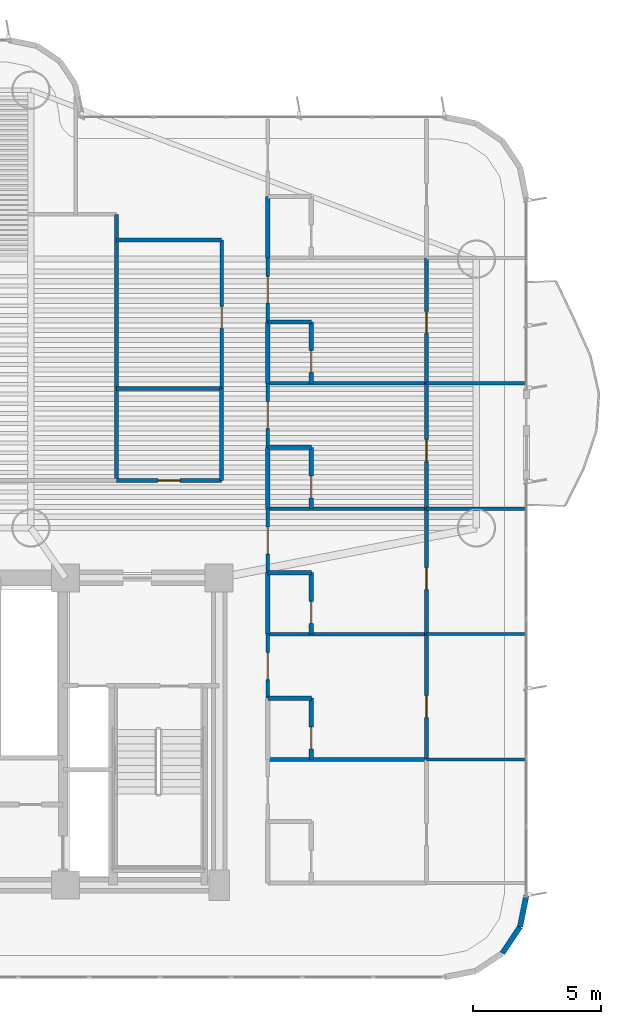
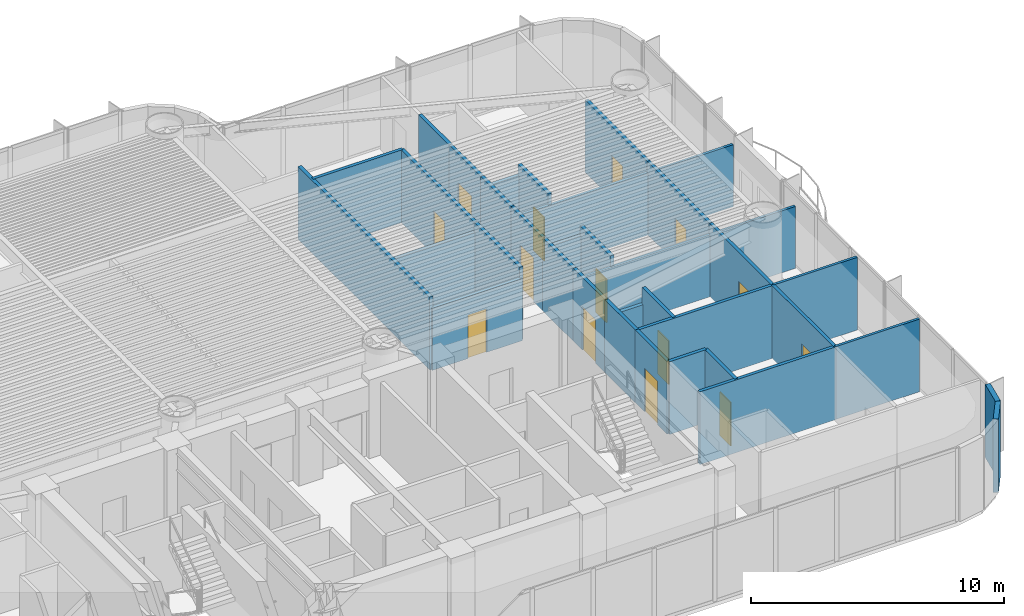
# One storey, part 13 of 19: 36 walls, 14 doors, 14 openings.
"""IFC4 building model written with IfcOpenShell, lengths in metres."""

from ifc_helpers import new_model, si_unit, direction, frame, frame_2d, origin, origin_2d, place, context, subcontext, project, spatial, rectangle, extrude, source, transform, mapped, material, layer, layer_set, type_object, element, fill, save


model = new_model("IFC4")

# Units and contexts
model_context = context("Model", 3, precision=1e-05, world=origin(), true_north=direction((0.0, 1.0)))
body_context = subcontext(model_context, "Body", "Model", "MODEL_VIEW")
ifc_project = project(units=[si_unit("LENGTHUNIT", "METRE"), si_unit("AREAUNIT", "SQUARE_METRE"), si_unit("VOLUMEUNIT", "CUBIC_METRE"), si_unit("PLANEANGLEUNIT", "RADIAN"), si_unit("MASSUNIT", "GRAM", prefix="KILO")], contexts=[model_context])

# Site, building, storey
site_placement = place(None, origin())
site = spatial("IfcSite", under=ifc_project, at=site_placement, CompositionType="ELEMENT")
building_placement = place(site_placement, origin())
building = spatial("IfcBuilding", under=site, at=building_placement, Name="Brelvock Crest Care Tower", CompositionType="ELEMENT")
storey_placement = place(building_placement, frame((0.0, 0.0, 68.580078125)))
storey = spatial("IfcBuildingStorey", under=building, at=storey_placement, Name="L17", CompositionType="ELEMENT", Elevation=68.580078125)

# Walls
ifc_material_1 = material(Name="Precast concrete N40 (40 MPa)", Category="concrete")
ifc_layer_1 = layer(ifc_material_1, 0.215087890625, Name="WL-EX2")
ifc_layer_set_1 = layer_set([ifc_layer_1], Name="Precast concrete N40 (40 MPa)")
wall_type_1 = type_object("IfcWallType", Name="WL-EX2", PredefinedType="SOLIDWALL", material=ifc_layer_set_1)
for number, where, z_axis, x_axis, name in (
    (1, (60.0, 5.60009765625, 0.0), (0.0, 0.0, 1.0), (-0.195138390419, -0.980775717779, 0.0), "L17 Rounded Corner Wall 04"),
    (2, (59.75634765625, 4.37548828125, 0.0), (0.0, 0.0, 1.0), (-0.555557312883, -0.831478245117, 0.0), "L17 Rounded Corner Wall 05"),
):
    element("IfcWall", number, at=place(storey_placement, frame(where, z_axis=z_axis, x_axis=x_axis)), inside=storey, type_object=wall_type_1, Name=name, PredefinedType="SOLIDWALL", context=body_context, shape_type="SweptSolid", body=[
        extrude(rectangle(XDim=1.24853515625, YDim=0.215087890625, at=frame_2d((0.624267578125, 0.0))), origin(), (0.0, 0.0, 1.0), 3.530029296875),
    ])
ifc_material_2 = material(Name="Masonry Blockwork Acoustic Partition", Category="masonry")
ifc_layer_2 = layer(ifc_material_2, 0.14990234375, Name="WL-INT1")
ifc_layer_set_2 = layer_set([ifc_layer_2], Name="Masonry Blockwork Acoustic Partition")
wall_type_2 = type_object("IfcWallType", Name="WL-INT1", PredefinedType="PARTITIONING", material=ifc_layer_set_2)
for number, where, z_axis, x_axis, name in (
    (3, (49.89990234375, 10.89990234375, 0.0), (0.0, 0.0, 1.0), (1.0, 0.0, 0.0), "L17 Interior Wall WL-BX-L17-CS-EC1-N"),
    (4, (49.89990234375, 15.800048828125, 0.0), (0.0, 0.0, 1.0), (1.0, 0.0, 0.0), "L17 Interior Wall WL-BX-L17-CS-EC2-N"),
):
    element("IfcWall", number, at=place(storey_placement, frame(where, z_axis=z_axis, x_axis=x_axis)), inside=storey, type_object=wall_type_2, Name=name, PredefinedType="PARTITIONING", context=body_context, shape_type="SweptSolid", body=[
        extrude(rectangle(XDim=6.2001953125, YDim=0.14990234375, at=frame_2d((3.10009765625, 0.0))), origin(), (0.0, 0.0, 1.0), 3.5),
    ])
for number, where, z_axis, x_axis, name in (
    (5, (49.89990234375, 20.699951171875, 0.0), (0.0, 0.0, 1.0), (1.0, 0.0, 0.0), "L17 Interior Wall WL-BX-L17-CS-EC3-N"),
    (6, (49.89990234375, 25.60009765625, 0.0), (0.0, 0.0, 1.0), (1.0, 0.0, 0.0), "L17 Interior Wall WL-BX-L17-CS-EC4-N"),
):
    element("IfcWall", number, at=place(storey_placement, frame(where, z_axis=z_axis, x_axis=x_axis)), inside=storey, type_object=wall_type_2, Name=name, PredefinedType="PARTITIONING", context=body_context, shape_type="SweptSolid", body=[
        extrude(rectangle(XDim=6.2001953125, YDim=0.14990234375, at=frame_2d((3.10009765625, 0.0))), origin(), (0.0, 0.0, 1.0), 2.98193359375),
    ])
wall_1_placement = place(storey_placement, frame((44.0, 31.199951171875, 0.0), z_axis=(0.0, 0.0, 1.0), x_axis=(1.0, 0.0, 0.0)))
element("IfcWall", 7, at=wall_1_placement, inside=storey, type_object=wall_type_2, Name="L17 Interior Wall WL-BX-L17-CKIT-N", PredefinedType="PARTITIONING", context=body_context, shape_type="SweptSolid", body=[
    extrude(rectangle(XDim=4.10009765625, YDim=0.14990234375, at=frame_2d((2.050048828125, 0.0))), origin(), (0.0, 0.0, 1.0), 3.5),
])

# Wall, opening, door
wall_2_placement = place(storey_placement, frame((48.10009765625, 25.39990234375, 0.0), z_axis=(0.0, 0.0, 1.0), x_axis=(0.0, 1.0, 0.0)))
wall_2 = element("IfcWall", 8, at=wall_2_placement, inside=storey, type_object=wall_type_2, Name="L17 Interior Wall WL-RM-L17-CKIT", PredefinedType="PARTITIONING", context=body_context, shape_type="SweptSolid", body=[
    extrude(rectangle(XDim=5.800048828125, YDim=0.14990234375, at=frame_2d((2.89990234375, 0.0))), origin(), (0.0, 0.0, 1.0), 3.5),
])
opening_1_placement = place(wall_2_placement, frame((2.340087890625, 0.0, 0.0)))
opening_1 = element("IfcOpeningElement", 9, at=opening_1_placement, cuts=wall_2, Name="Opening ID-1", PredefinedType="OPENING", context=body_context, shape_type="SweptSolid", body=[
    extrude(rectangle(XDim=0.860107421875, YDim=2.10009765625, at=origin_2d()), frame((0.43017578125, 0.0849609375, 1.050048828125), z_axis=(0.0, -1.0, 0.0), x_axis=(1.0, 0.0, 0.0)), (0.0, 0.0, 1.0), 0.169921875),
])
ifc_material_3 = material(Name="Engineered Hardwood Timber", Category="wood")
door_type_1 = type_object("IfcDoorType", Name="DR-INT1", OperationType="NOTDEFINED", PredefinedType="DOOR", material=ifc_material_3)
shared_shape_1 = source(origin(), body_context, "Body", "SweptSolid", [
    extrude(rectangle(XDim=0.860107421875, YDim=2.10009765625, at=origin_2d()), frame((0.43017578125, 0.02490234375, 1.050048828125), z_axis=(0.0, -1.0, 0.0), x_axis=(1.0, 0.0, 0.0)), (0.0, 0.0, 1.0), 0.050048828125),
])
door_1_placement = place(opening_1_placement, origin())
door_1 = element("IfcDoor", 10, at=door_1_placement, inside=storey, type_object=door_type_1, Name="L17 Neighbourhood Pantry Kitchen Door CKIT", OperationType="SINGLE_SWING_LEFT", OverallHeight=2.10009765625, OverallWidth=0.860107421875, PredefinedType="DOOR", context=body_context, shape_type="MappedRepresentation", body=[
    mapped(shared_shape_1, transform((0.0, 0.0, 0.0), x_axis=(1.0, 0.0, 0.0), y_axis=(0.0, 1.0, 0.0), z_axis=(0.0, 0.0, 1.0), scale=1.0)),
])
fill(opening_1, door_1)

wall_3_placement = place(storey_placement, frame((49.89990234375, 13.300048828125, 0.0), z_axis=(0.0, 0.0, 1.0), x_axis=(0.0, 1.0, 0.0)))
wall_3 = element("IfcWall", 11, at=wall_3_placement, inside=storey, type_object=wall_type_2, Name="L17 Interior Wall WL-CENT-L17-EC2", PredefinedType="PARTITIONING", context=body_context, shape_type="SweptSolid", body=[
    extrude(rectangle(XDim=2.5, YDim=0.14990234375, at=frame_2d((1.25, 0.0))), origin(), (0.0, 0.0, 1.0), 3.5),
])
opening_2_placement = place(wall_3_placement, frame((0.72998046875, 0.0, 0.0)))
opening_2 = element("IfcOpeningElement", 12, at=opening_2_placement, cuts=wall_3, Name="Opening CD-1", PredefinedType="OPENING", context=body_context, shape_type="SweptSolid", body=[
    extrude(rectangle(XDim=1.050048828125, YDim=2.10009765625, at=origin_2d()), frame((0.52490234375, 0.0849609375, 1.050048828125), z_axis=(0.0, -1.0, 0.0), x_axis=(1.0, 0.0, 0.0)), (0.0, 0.0, 1.0), 0.169921875),
])
door_type_2 = type_object("IfcDoorType", Name="DR-CARE1", OperationType="NOTDEFINED", PredefinedType="DOOR", material=ifc_material_3)
shared_shape_2 = source(origin(), body_context, "Body", "SweptSolid", [
    extrude(rectangle(XDim=1.050048828125, YDim=2.10009765625, at=origin_2d()), frame((0.52490234375, 0.02490234375, 1.050048828125), z_axis=(0.0, -1.0, 0.0), x_axis=(1.0, 0.0, 0.0)), (0.0, 0.0, 1.0), 0.050048828125),
])
door_2_placement = place(opening_2_placement, origin())
door_2 = element("IfcDoor", 13, at=door_2_placement, inside=storey, type_object=door_type_2, Name="L17 Care Suite Door EC2", OperationType="SINGLE_SWING_LEFT", OverallHeight=2.10009765625, OverallWidth=1.050048828125, PredefinedType="DOOR", context=body_context, shape_type="MappedRepresentation", body=[
    mapped(shared_shape_2, transform((0.0, 0.0, 0.0), x_axis=(1.0, 0.0, 0.0), y_axis=(0.0, 1.0, 0.0), z_axis=(0.0, 0.0, 1.0), scale=1.0)),
])
fill(opening_2, door_2)

wall_4_placement = place(storey_placement, frame((49.89990234375, 18.199951171875, 0.0), z_axis=(0.0, 0.0, 1.0), x_axis=(0.0, 1.0, 0.0)))
wall_4 = element("IfcWall", 14, at=wall_4_placement, inside=storey, type_object=wall_type_2, Name="L17 Interior Wall WL-CENT-L17-EC3", PredefinedType="PARTITIONING", context=body_context, shape_type="SweptSolid", body=[
    extrude(rectangle(XDim=2.5, YDim=0.14990234375, at=frame_2d((1.25, 0.0))), origin(), (0.0, 0.0, 1.0), 3.5),
])
opening_3_placement = place(wall_4_placement, frame((0.72998046875, 0.0, 0.0)))
opening_3 = element("IfcOpeningElement", 15, at=opening_3_placement, cuts=wall_4, Name="Opening CD-1", PredefinedType="OPENING", context=body_context, shape_type="SweptSolid", body=[
    extrude(rectangle(XDim=1.050048828125, YDim=2.10009765625, at=origin_2d()), frame((0.52490234375, 0.0849609375, 1.050048828125), z_axis=(0.0, -1.0, 0.0), x_axis=(1.0, 0.0, 0.0)), (0.0, 0.0, 1.0), 0.169921875),
])
door_3_placement = place(opening_3_placement, origin())
door_3 = element("IfcDoor", 16, at=door_3_placement, inside=storey, type_object=door_type_2, Name="L17 Care Suite Door EC3", OperationType="SINGLE_SWING_LEFT", OverallHeight=2.10009765625, OverallWidth=1.050048828125, PredefinedType="DOOR", context=body_context, shape_type="MappedRepresentation", body=[
    mapped(shared_shape_2, transform((0.0, 0.0, 0.0), x_axis=(1.0, 0.0, 0.0), y_axis=(0.0, 1.0, 0.0), z_axis=(0.0, 0.0, 1.0), scale=1.0)),
])
fill(opening_3, door_3)

wall_5_placement = place(storey_placement, frame((49.89990234375, 23.10009765625, 0.0), z_axis=(0.0, 0.0, 1.0), x_axis=(0.0, 1.0, 0.0)))
wall_5 = element("IfcWall", 17, at=wall_5_placement, inside=storey, type_object=wall_type_2, Name="L17 Interior Wall WL-CENT-L17-EC4", PredefinedType="PARTITIONING", context=body_context, shape_type="SweptSolid", body=[
    extrude(rectangle(XDim=2.5, YDim=0.14990234375, at=frame_2d((1.25, 0.0))), origin(), (0.0, 0.0, 1.0), 3.5),
])
opening_4_placement = place(wall_5_placement, frame((0.72998046875, 0.0, 0.0)))
opening_4 = element("IfcOpeningElement", 18, at=opening_4_placement, cuts=wall_5, Name="Opening CD-1", PredefinedType="OPENING", context=body_context, shape_type="SweptSolid", body=[
    extrude(rectangle(XDim=1.050048828125, YDim=2.10009765625, at=origin_2d()), frame((0.52490234375, 0.0849609375, 1.050048828125), z_axis=(0.0, -1.0, 0.0), x_axis=(1.0, 0.0, 0.0)), (0.0, 0.0, 1.0), 0.169921875),
])
door_4_placement = place(opening_4_placement, origin())
door_4 = element("IfcDoor", 19, at=door_4_placement, inside=storey, type_object=door_type_2, Name="L17 Care Suite Door EC4", OperationType="SINGLE_SWING_LEFT", OverallHeight=2.10009765625, OverallWidth=1.050048828125, PredefinedType="DOOR", context=body_context, shape_type="MappedRepresentation", body=[
    mapped(shared_shape_2, transform((0.0, 0.0, 0.0), x_axis=(1.0, 0.0, 0.0), y_axis=(0.0, 1.0, 0.0), z_axis=(0.0, 0.0, 1.0), scale=1.0)),
])
fill(opening_4, door_4)

wall_6_placement = place(storey_placement, frame((49.89990234375, 28.0, 0.0), z_axis=(0.0, 0.0, 1.0), x_axis=(0.0, 1.0, 0.0)))
wall_6 = element("IfcWall", 20, at=wall_6_placement, inside=storey, type_object=wall_type_2, Name="L17 Interior Wall WL-CENT-L17-EC5", PredefinedType="PARTITIONING", context=body_context, shape_type="SweptSolid", body=[
    extrude(rectangle(XDim=2.5, YDim=0.14990234375, at=frame_2d((1.25, 0.0))), origin(), (0.0, 0.0, 1.0), 3.5),
])
opening_5_placement = place(wall_6_placement, frame((0.72998046875, 0.0, 0.0)))
opening_5 = element("IfcOpeningElement", 21, at=opening_5_placement, cuts=wall_6, Name="Opening CD-1", PredefinedType="OPENING", context=body_context, shape_type="SweptSolid", body=[
    extrude(rectangle(XDim=1.050048828125, YDim=2.10009765625, at=origin_2d()), frame((0.52490234375, 0.0849609375, 1.050048828125), z_axis=(0.0, -1.0, 0.0), x_axis=(1.0, 0.0, 0.0)), (0.0, 0.0, 1.0), 0.169921875),
])
door_5_placement = place(opening_5_placement, origin())
door_5 = element("IfcDoor", 22, at=door_5_placement, inside=storey, type_object=door_type_2, Name="L17 Care Suite Door EC5", OperationType="SINGLE_SWING_LEFT", OverallHeight=2.10009765625, OverallWidth=1.050048828125, PredefinedType="DOOR", context=body_context, shape_type="MappedRepresentation", body=[
    mapped(shared_shape_2, transform((0.0, 0.0, 0.0), x_axis=(1.0, 0.0, 0.0), y_axis=(0.0, 1.0, 0.0), z_axis=(0.0, 0.0, 1.0), scale=1.0)),
])
fill(opening_5, door_5)

wall_7_placement = place(storey_placement, frame((56.10009765625, 10.89990234375, 0.0), z_axis=(0.0, 0.0, 1.0), x_axis=(0.0, 1.0, 0.0)))
wall_7 = element("IfcWall", 23, at=wall_7_placement, inside=storey, type_object=wall_type_2, Name="L17 Interior Wall WL-RM-L17-EC2S", PredefinedType="PARTITIONING", context=body_context, shape_type="SweptSolid", body=[
    extrude(rectangle(XDim=4.900146484375, YDim=0.14990234375, at=frame_2d((2.4501953125, 0.0))), origin(), (0.0, 0.0, 1.0), 3.5),
])
opening_6_placement = place(wall_7_placement, frame((1.639892578125, 0.0, 0.0)))
opening_6 = element("IfcOpeningElement", 24, at=opening_6_placement, cuts=wall_7, Name="Opening ID-1", PredefinedType="OPENING", context=body_context, shape_type="SweptSolid", body=[
    extrude(rectangle(XDim=0.860107421875, YDim=2.10009765625, at=origin_2d()), frame((0.43017578125, 0.0849609375, 1.050048828125), z_axis=(0.0, -1.0, 0.0), x_axis=(1.0, 0.0, 0.0)), (0.0, 0.0, 1.0), 0.169921875),
])
door_6_placement = place(opening_6_placement, origin())
door_6 = element("IfcDoor", 25, at=door_6_placement, inside=storey, type_object=door_type_1, Name="L17 Skilled Nursing Mobility Store Door EC2S", OperationType="SINGLE_SWING_LEFT", OverallHeight=2.10009765625, OverallWidth=0.860107421875, PredefinedType="DOOR", context=body_context, shape_type="MappedRepresentation", body=[
    mapped(shared_shape_1, transform((0.0, 0.0, 0.0), x_axis=(1.0, 0.0, 0.0), y_axis=(0.0, 1.0, 0.0), z_axis=(0.0, 0.0, 1.0), scale=1.0)),
])
fill(opening_6, door_6)

wall_8_placement = place(storey_placement, frame((56.10009765625, 15.800048828125, 0.0), z_axis=(0.0, 0.0, 1.0), x_axis=(0.0, 1.0, 0.0)))
wall_8 = element("IfcWall", 26, at=wall_8_placement, inside=storey, type_object=wall_type_2, Name="L17 Interior Wall WL-RM-L17-EC3S", PredefinedType="PARTITIONING", context=body_context, shape_type="SweptSolid", body=[
    extrude(rectangle(XDim=4.89990234375, YDim=0.14990234375, at=frame_2d((2.449951171875, 0.0))), origin(), (0.0, 0.0, 1.0), 3.5),
])
opening_7_placement = place(wall_8_placement, frame((1.739990234375, 0.0, 0.0)))
opening_7 = element("IfcOpeningElement", 27, at=opening_7_placement, cuts=wall_8, Name="Opening ID-1", PredefinedType="OPENING", context=body_context, shape_type="SweptSolid", body=[
    extrude(rectangle(XDim=0.860107421875, YDim=2.10009765625, at=origin_2d()), frame((0.43017578125, 0.0849609375, 1.050048828125), z_axis=(0.0, -1.0, 0.0), x_axis=(1.0, 0.0, 0.0)), (0.0, 0.0, 1.0), 0.169921875),
])
door_7_placement = place(opening_7_placement, origin())
door_7 = element("IfcDoor", 28, at=door_7_placement, inside=storey, type_object=door_type_1, Name="L17 Skilled Nursing Mobility Store Door EC3S", OperationType="SINGLE_SWING_LEFT", OverallHeight=2.10009765625, OverallWidth=0.860107421875, PredefinedType="DOOR", context=body_context, shape_type="MappedRepresentation", body=[
    mapped(shared_shape_1, transform((0.0, 0.0, 0.0), x_axis=(1.0, 0.0, 0.0), y_axis=(0.0, 1.0, 0.0), z_axis=(0.0, 0.0, 1.0), scale=1.0)),
])
fill(opening_7, door_7)

wall_9_placement = place(storey_placement, frame((56.10009765625, 20.699951171875, 0.0), z_axis=(0.0, 0.0, 1.0), x_axis=(0.0, 1.0, 0.0)))
wall_9 = element("IfcWall", 29, at=wall_9_placement, inside=storey, type_object=wall_type_2, Name="L17 Interior Wall WL-RM-L17-EC4S", PredefinedType="PARTITIONING", context=body_context, shape_type="SweptSolid", body=[
    extrude(rectangle(XDim=4.900146484375, YDim=0.14990234375, at=frame_2d((2.4501953125, 0.0))), origin(), (0.0, 0.0, 1.0), 3.5),
])
opening_8_placement = place(wall_9_placement, frame((1.840087890625, 0.0, 0.0)))
opening_8 = element("IfcOpeningElement", 30, at=opening_8_placement, cuts=wall_9, Name="Opening ID-1", PredefinedType="OPENING", context=body_context, shape_type="SweptSolid", body=[
    extrude(rectangle(XDim=0.860107421875, YDim=2.10009765625, at=origin_2d()), frame((0.43017578125, 0.0849609375, 1.050048828125), z_axis=(0.0, -1.0, 0.0), x_axis=(1.0, 0.0, 0.0)), (0.0, 0.0, 1.0), 0.169921875),
])
door_8_placement = place(opening_8_placement, origin())
door_8 = element("IfcDoor", 31, at=door_8_placement, inside=storey, type_object=door_type_1, Name="L17 Skilled Nursing Mobility Store Door EC4S", OperationType="SINGLE_SWING_LEFT", OverallHeight=2.10009765625, OverallWidth=0.860107421875, PredefinedType="DOOR", context=body_context, shape_type="MappedRepresentation", body=[
    mapped(shared_shape_1, transform((0.0, 0.0, 0.0), x_axis=(1.0, 0.0, 0.0), y_axis=(0.0, 1.0, 0.0), z_axis=(0.0, 0.0, 1.0), scale=1.0)),
])
fill(opening_8, door_8)

wall_10_placement = place(storey_placement, frame((56.10009765625, 25.60009765625, 0.0), z_axis=(0.0, 0.0, 1.0), x_axis=(0.0, 1.0, 0.0)))
wall_10 = element("IfcWall", 32, at=wall_10_placement, inside=storey, type_object=wall_type_2, Name="L17 Interior Wall WL-RM-L17-EC5S", PredefinedType="PARTITIONING", context=body_context, shape_type="SweptSolid", body=[
    extrude(rectangle(XDim=4.89990234375, YDim=0.14990234375, at=frame_2d((2.449951171875, 0.0))), origin(), (0.0, 0.0, 1.0), 3.5),
])
opening_9_placement = place(wall_10_placement, frame((1.93994140625, 0.0, 0.0)))
opening_9 = element("IfcOpeningElement", 33, at=opening_9_placement, cuts=wall_10, Name="Opening ID-1", PredefinedType="OPENING", context=body_context, shape_type="SweptSolid", body=[
    extrude(rectangle(XDim=0.860107421875, YDim=2.10009765625, at=origin_2d()), frame((0.43017578125, 0.0849609375, 1.050048828125), z_axis=(0.0, -1.0, 0.0), x_axis=(1.0, 0.0, 0.0)), (0.0, 0.0, 1.0), 0.169921875),
])
door_9_placement = place(opening_9_placement, origin())
door_9 = element("IfcDoor", 34, at=door_9_placement, inside=storey, type_object=door_type_1, Name="L17 Skilled Nursing Mobility Store Door EC5S", OperationType="SINGLE_SWING_LEFT", OverallHeight=2.10009765625, OverallWidth=0.860107421875, PredefinedType="DOOR", context=body_context, shape_type="MappedRepresentation", body=[
    mapped(shared_shape_1, transform((0.0, 0.0, 0.0), x_axis=(1.0, 0.0, 0.0), y_axis=(0.0, 1.0, 0.0), z_axis=(0.0, 0.0, 1.0), scale=1.0)),
])
fill(opening_9, door_9)

# Walls
ifc_material_4 = material(Name="Gypsum Plasterboard Partition", Category="gypsum")
ifc_layer_3 = layer(ifc_material_4, 0.1201171875, Name="WL-INT2")
ifc_layer_set_3 = layer_set([ifc_layer_3], Name="Gypsum Plasterboard Partition")
wall_type_3 = type_object("IfcWallType", Name="WL-INT2", PredefinedType="PARTITIONING", material=ifc_layer_set_3)
for number, where, z_axis, x_axis, name in (
    (35, (56.10009765625, 10.89990234375, 0.0), (0.0, 0.0, 1.0), (1.0, 0.0, 0.0), "L17 Interior Wall WL-BX-L17-EC1S-N"),
    (36, (56.10009765625, 15.800048828125, 0.0), (0.0, 0.0, 1.0), (1.0, 0.0, 0.0), "L17 Interior Wall WL-BX-L17-EC2S-N"),
):
    element("IfcWall", number, at=place(storey_placement, frame(where, z_axis=z_axis, x_axis=x_axis)), inside=storey, type_object=wall_type_3, Name=name, PredefinedType="PARTITIONING", context=body_context, shape_type="SweptSolid", body=[
        extrude(rectangle(XDim=3.81982421875, YDim=0.1201171875, at=frame_2d((1.909912109375, 0.0))), origin(), (0.0, 0.0, 1.0), 3.5),
    ])
for number, where, z_axis, x_axis, name in (
    (37, (56.10009765625, 20.699951171875, 0.0), (0.0, 0.0, 1.0), (1.0, 0.0, 0.0), "L17 Interior Wall WL-BX-L17-EC3S-N"),
    (38, (56.10009765625, 25.60009765625, 0.0), (0.0, 0.0, 1.0), (1.0, 0.0, 0.0), "L17 Interior Wall WL-BX-L17-EC4S-N"),
):
    element("IfcWall", number, at=place(storey_placement, frame(where, z_axis=z_axis, x_axis=x_axis)), inside=storey, type_object=wall_type_3, Name=name, PredefinedType="PARTITIONING", context=body_context, shape_type="SweptSolid", body=[
        extrude(rectangle(XDim=3.81982421875, YDim=0.1201171875, at=frame_2d((1.909912109375, 0.0))), origin(), (0.0, 0.0, 1.0), 2.98193359375),
    ])
ifc_layer_4 = layer(ifc_material_4, 0.159912109375, Name="WL-PLM1")
ifc_layer_set_4 = layer_set([ifc_layer_4], Name="Gypsum Plasterboard Partition")
wall_type_4 = type_object("IfcWallType", Name="WL-PLM1", PredefinedType="PLUMBINGWALL", material=ifc_layer_set_4)
wall_11_placement = place(storey_placement, frame((49.89990234375, 13.300048828125, 0.0), z_axis=(0.0, 0.0, 1.0), x_axis=(1.0, 0.0, 0.0)))
element("IfcWall", 39, at=wall_11_placement, inside=storey, type_object=wall_type_4, Name="L17 Interior Wall WL-CENS2-L17-EC2", PredefinedType="PLUMBINGWALL", context=body_context, shape_type="SweptSolid", body=[
    extrude(rectangle(XDim=1.7001953125, YDim=0.159912109375, at=frame_2d((0.85009765625, 0.0))), origin(), (0.0, 0.0, 1.0), 3.5),
])
wall_12_placement = place(storey_placement, frame((49.89990234375, 18.199951171875, 0.0), z_axis=(0.0, 0.0, 1.0), x_axis=(1.0, 0.0, 0.0)))
element("IfcWall", 40, at=wall_12_placement, inside=storey, type_object=wall_type_4, Name="L17 Interior Wall WL-CENS2-L17-EC3", PredefinedType="PLUMBINGWALL", context=body_context, shape_type="SweptSolid", body=[
    extrude(rectangle(XDim=1.7001953125, YDim=0.159912109375, at=frame_2d((0.85009765625, 0.0))), origin(), (0.0, 0.0, 1.0), 2.71484375),
])

# Wall, opening, door
wall_13_placement = place(storey_placement, frame((44.0, 21.800048828125, 0.0), z_axis=(0.0, 0.0, 1.0), x_axis=(1.0, 0.0, 0.0)))
wall_13 = element("IfcWall", 41, at=wall_13_placement, inside=storey, type_object=wall_type_4, Name="L17 Interior Wall WL-RM-L17-CAWC", PredefinedType="PLUMBINGWALL", context=body_context, shape_type="SweptSolid", body=[
    extrude(rectangle(XDim=4.10009765625, YDim=0.159912109375, at=frame_2d((2.050048828125, 0.0))), origin(), (0.0, 0.0, 1.0), 2.98193359375),
])
opening_10_placement = place(wall_13_placement, frame((1.6201171875, 0.0, 0.0)))
opening_10 = element("IfcOpeningElement", 42, at=opening_10_placement, cuts=wall_13, Name="Opening WD-1", PredefinedType="OPENING", context=body_context, shape_type="SweptSolid", body=[
    extrude(rectangle(XDim=0.860107421875, YDim=2.10009765625, at=origin_2d()), frame((0.43017578125, 0.08984375, 1.050048828125), z_axis=(0.0, -1.0, 0.0), x_axis=(1.0, 0.0, 0.0)), (0.0, 0.0, 1.0), 0.179931640625),
])
door_type_3 = type_object("IfcDoorType", Name="DR-WC1", OperationType="NOTDEFINED", PredefinedType="DOOR", material=ifc_material_3)
shared_shape_3 = source(origin(), body_context, "Body", "SweptSolid", [
    extrude(rectangle(XDim=0.860107421875, YDim=2.10009765625, at=origin_2d()), frame((0.43017578125, 0.02490234375, 1.050048828125), z_axis=(0.0, -1.0, 0.0), x_axis=(1.0, 0.0, 0.0)), (0.0, 0.0, 1.0), 0.050048828125),
])
door_10_placement = place(opening_10_placement, origin())
door_10 = element("IfcDoor", 43, at=door_10_placement, inside=storey, type_object=door_type_3, Name="L17 Floor Accessible WC Door CAWC", OperationType="SINGLE_SWING_LEFT", OverallHeight=2.10009765625, OverallWidth=0.860107421875, PredefinedType="DOOR", context=body_context, shape_type="MappedRepresentation", body=[
    mapped(shared_shape_3, transform((0.0, 0.0, 0.0), x_axis=(1.0, 0.0, 0.0), y_axis=(0.0, 1.0, 0.0), z_axis=(0.0, 0.0, 1.0), scale=1.0)),
])
fill(opening_10, door_10)

# Walls
wall_14_placement = place(storey_placement, frame((49.89990234375, 23.10009765625, 0.0), z_axis=(0.0, 0.0, 1.0), x_axis=(1.0, 0.0, 0.0)))
element("IfcWall", 44, at=wall_14_placement, inside=storey, type_object=wall_type_4, Name="L17 Interior Wall WL-CENS2-L17-EC4", PredefinedType="PLUMBINGWALL", context=body_context, shape_type="SweptSolid", body=[
    extrude(rectangle(XDim=1.7001953125, YDim=0.159912109375, at=frame_2d((0.85009765625, 0.0))), origin(), (0.0, 0.0, 1.0), 3.054931640625),
])
wall_15_placement = place(storey_placement, frame((44.0, 25.39990234375, 0.0), z_axis=(0.0, 0.0, 1.0), x_axis=(1.0, 0.0, 0.0)))
element("IfcWall", 45, at=wall_15_placement, inside=storey, type_object=wall_type_4, Name="L17 Interior Wall WL-BX-L17-CAWC-N", PredefinedType="PLUMBINGWALL", context=body_context, shape_type="SweptSolid", body=[
    extrude(rectangle(XDim=4.10009765625, YDim=0.159912109375, at=frame_2d((2.050048828125, 0.0))), origin(), (0.0, 0.0, 1.0), 3.054931640625),
])
wall_16_placement = place(storey_placement, frame((49.89990234375, 28.0, 0.0), z_axis=(0.0, 0.0, 1.0), x_axis=(1.0, 0.0, 0.0)))
element("IfcWall", 46, at=wall_16_placement, inside=storey, type_object=wall_type_4, Name="L17 Interior Wall WL-CENS2-L17-EC5", PredefinedType="PLUMBINGWALL", context=body_context, shape_type="SweptSolid", body=[
    extrude(rectangle(XDim=1.7001953125, YDim=0.159912109375, at=frame_2d((0.85009765625, 0.0))), origin(), (0.0, 0.0, 1.0), 2.98193359375),
])
wall_17_placement = place(storey_placement, frame((44.0, 21.800048828125, 0.0), z_axis=(0.0, 0.0, 1.0), x_axis=(0.0, 1.0, 0.0)))
element("IfcWall", 47, at=wall_17_placement, inside=storey, type_object=wall_type_4, Name="L17 Interior Wall WL-BX-L17-CNE-E", PredefinedType="PLUMBINGWALL", context=body_context, shape_type="SweptSolid", body=[
    extrude(rectangle(XDim=10.39990234375, YDim=0.159912109375, at=frame_2d((5.199951171875, 0.0))), origin(), (0.0, 0.0, 1.0), 3.5),
])
wall_18_placement = place(storey_placement, frame((48.10009765625, 21.800048828125, 0.0), z_axis=(0.0, 0.0, 1.0), x_axis=(0.0, 1.0, 0.0)))
element("IfcWall", 48, at=wall_18_placement, inside=storey, type_object=wall_type_4, Name="L17 Interior Wall WL-BX-L17-CAWC-E", PredefinedType="PLUMBINGWALL", context=body_context, shape_type="SweptSolid", body=[
    extrude(rectangle(XDim=3.599853515625, YDim=0.159912109375, at=frame_2d((1.7998046875, 0.0))), origin(), (0.0, 0.0, 1.0), 3.5),
])
wall_19_placement = place(storey_placement, frame((49.89990234375, 15.800048828125, 0.0), z_axis=(0.0, 0.0, 1.0), x_axis=(0.0, 1.0, 0.0)))
element("IfcWall", 49, at=wall_19_placement, inside=storey, type_object=wall_type_4, Name="L17 Interior Wall WL-CENS0-L17-EC3", PredefinedType="PLUMBINGWALL", context=body_context, shape_type="SweptSolid", body=[
    extrude(rectangle(XDim=2.39990234375, YDim=0.159912109375, at=frame_2d((1.199951171875, 0.0))), origin(), (0.0, 0.0, 1.0), 3.5),
])
wall_20_placement = place(storey_placement, frame((49.89990234375, 20.699951171875, 0.0), z_axis=(0.0, 0.0, 1.0), x_axis=(0.0, 1.0, 0.0)))
element("IfcWall", 50, at=wall_20_placement, inside=storey, type_object=wall_type_4, Name="L17 Interior Wall WL-CENS0-L17-EC4", PredefinedType="PLUMBINGWALL", context=body_context, shape_type="SweptSolid", body=[
    extrude(rectangle(XDim=2.400146484375, YDim=0.159912109375, at=frame_2d((1.2001953125, 0.0))), origin(), (0.0, 0.0, 1.0), 3.5),
])
for number, where, z_axis, x_axis, name in (
    (51, (49.89990234375, 25.60009765625, 0.0), (0.0, 0.0, 1.0), (0.0, 1.0, 0.0), "L17 Interior Wall WL-CENS0-L17-EC5"),
    (52, (49.89990234375, 30.5, 0.0), (0.0, 0.0, 1.0), (0.0, 1.0, 0.0), "L17 Interior Wall WL-CENS0-L17-EC6"),
):
    element("IfcWall", number, at=place(storey_placement, frame(where, z_axis=z_axis, x_axis=x_axis)), inside=storey, type_object=wall_type_4, Name=name, PredefinedType="PLUMBINGWALL", context=body_context, shape_type="SweptSolid", body=[
        extrude(rectangle(XDim=2.39990234375, YDim=0.159912109375, at=frame_2d((1.199951171875, 0.0))), origin(), (0.0, 0.0, 1.0), 3.5),
    ])

# Wall, opening, door
wall_21_placement = place(storey_placement, frame((51.60009765625, 10.89990234375, 0.0), z_axis=(0.0, 0.0, 1.0), x_axis=(0.0, 1.0, 0.0)))
wall_21 = element("IfcWall", 53, at=wall_21_placement, inside=storey, type_object=wall_type_4, Name="L17 Interior Wall WL-CENS1-L17-EC2", PredefinedType="PLUMBINGWALL", context=body_context, shape_type="SweptSolid", body=[
    extrude(rectangle(XDim=2.400146484375, YDim=0.159912109375, at=frame_2d((1.2001953125, 0.0))), origin(), (0.0, 0.0, 1.0), 3.5),
])
opening_11_placement = place(wall_21_placement, frame((0.419921875, 0.0, 0.0)))
opening_11 = element("IfcOpeningElement", 54, at=opening_11_placement, cuts=wall_21, Name="Opening WD-1", PredefinedType="OPENING", context=body_context, shape_type="SweptSolid", body=[
    extrude(rectangle(XDim=0.860107421875, YDim=2.10009765625, at=origin_2d()), frame((0.43017578125, 0.08984375, 1.050048828125), z_axis=(0.0, -1.0, 0.0), x_axis=(1.0, 0.0, 0.0)), (0.0, 0.0, 1.0), 0.179931640625),
])
door_11_placement = place(opening_11_placement, origin())
door_11 = element("IfcDoor", 55, at=door_11_placement, inside=storey, type_object=door_type_3, Name="L17 Care En-Suite Door EC2", OperationType="SINGLE_SWING_RIGHT", OverallHeight=2.10009765625, OverallWidth=0.860107421875, PredefinedType="DOOR", context=body_context, shape_type="MappedRepresentation", body=[
    mapped(shared_shape_3, transform((0.0, 0.0, 0.0), x_axis=(1.0, 0.0, 0.0), y_axis=(0.0, 1.0, 0.0), z_axis=(0.0, 0.0, 1.0), scale=1.0)),
])
fill(opening_11, door_11)

wall_22_placement = place(storey_placement, frame((51.60009765625, 15.800048828125, 0.0), z_axis=(0.0, 0.0, 1.0), x_axis=(0.0, 1.0, 0.0)))
wall_22 = element("IfcWall", 56, at=wall_22_placement, inside=storey, type_object=wall_type_4, Name="L17 Interior Wall WL-CENS1-L17-EC3", PredefinedType="PLUMBINGWALL", context=body_context, shape_type="SweptSolid", body=[
    extrude(rectangle(XDim=2.39990234375, YDim=0.159912109375, at=frame_2d((1.199951171875, 0.0))), origin(), (0.0, 0.0, 1.0), 3.5),
])
opening_12_placement = place(wall_22_placement, frame((0.419921875, 0.0, 0.0)))
opening_12 = element("IfcOpeningElement", 57, at=opening_12_placement, cuts=wall_22, Name="Opening WD-1", PredefinedType="OPENING", context=body_context, shape_type="SweptSolid", body=[
    extrude(rectangle(XDim=0.860107421875, YDim=2.10009765625, at=origin_2d()), frame((0.43017578125, 0.08984375, 1.050048828125), z_axis=(0.0, -1.0, 0.0), x_axis=(1.0, 0.0, 0.0)), (0.0, 0.0, 1.0), 0.179931640625),
])
door_12_placement = place(opening_12_placement, origin())
door_12 = element("IfcDoor", 58, at=door_12_placement, inside=storey, type_object=door_type_3, Name="L17 Care En-Suite Door EC3", OperationType="SINGLE_SWING_RIGHT", OverallHeight=2.10009765625, OverallWidth=0.860107421875, PredefinedType="DOOR", context=body_context, shape_type="MappedRepresentation", body=[
    mapped(shared_shape_3, transform((0.0, 0.0, 0.0), x_axis=(1.0, 0.0, 0.0), y_axis=(0.0, 1.0, 0.0), z_axis=(0.0, 0.0, 1.0), scale=1.0)),
])
fill(opening_12, door_12)

wall_23_placement = place(storey_placement, frame((51.60009765625, 20.699951171875, 0.0), z_axis=(0.0, 0.0, 1.0), x_axis=(0.0, 1.0, 0.0)))
wall_23 = element("IfcWall", 59, at=wall_23_placement, inside=storey, type_object=wall_type_4, Name="L17 Interior Wall WL-CENS1-L17-EC4", PredefinedType="PLUMBINGWALL", context=body_context, shape_type="SweptSolid", body=[
    extrude(rectangle(XDim=2.400146484375, YDim=0.159912109375, at=frame_2d((1.2001953125, 0.0))), origin(), (0.0, 0.0, 1.0), 3.5),
])
opening_13_placement = place(wall_23_placement, frame((0.419921875, 0.0, 0.0)))
opening_13 = element("IfcOpeningElement", 60, at=opening_13_placement, cuts=wall_23, Name="Opening WD-1", PredefinedType="OPENING", context=body_context, shape_type="SweptSolid", body=[
    extrude(rectangle(XDim=0.860107421875, YDim=2.10009765625, at=origin_2d()), frame((0.43017578125, 0.08984375, 1.050048828125), z_axis=(0.0, -1.0, 0.0), x_axis=(1.0, 0.0, 0.0)), (0.0, 0.0, 1.0), 0.179931640625),
])
door_13_placement = place(opening_13_placement, origin())
door_13 = element("IfcDoor", 61, at=door_13_placement, inside=storey, type_object=door_type_3, Name="L17 Care En-Suite Door EC4", OperationType="SINGLE_SWING_RIGHT", OverallHeight=2.10009765625, OverallWidth=0.860107421875, PredefinedType="DOOR", context=body_context, shape_type="MappedRepresentation", body=[
    mapped(shared_shape_3, transform((0.0, 0.0, 0.0), x_axis=(1.0, 0.0, 0.0), y_axis=(0.0, 1.0, 0.0), z_axis=(0.0, 0.0, 1.0), scale=1.0)),
])
fill(opening_13, door_13)

wall_24_placement = place(storey_placement, frame((51.60009765625, 25.60009765625, 0.0), z_axis=(0.0, 0.0, 1.0), x_axis=(0.0, 1.0, 0.0)))
wall_24 = element("IfcWall", 62, at=wall_24_placement, inside=storey, type_object=wall_type_4, Name="L17 Interior Wall WL-CENS1-L17-EC5", PredefinedType="PLUMBINGWALL", context=body_context, shape_type="SweptSolid", body=[
    extrude(rectangle(XDim=2.39990234375, YDim=0.159912109375, at=frame_2d((1.199951171875, 0.0))), origin(), (0.0, 0.0, 1.0), 3.5),
])
opening_14_placement = place(wall_24_placement, frame((0.419921875, 0.0, 0.0)))
opening_14 = element("IfcOpeningElement", 63, at=opening_14_placement, cuts=wall_24, Name="Opening WD-1", PredefinedType="OPENING", context=body_context, shape_type="SweptSolid", body=[
    extrude(rectangle(XDim=0.860107421875, YDim=2.10009765625, at=origin_2d()), frame((0.43017578125, 0.08984375, 1.050048828125), z_axis=(0.0, -1.0, 0.0), x_axis=(1.0, 0.0, 0.0)), (0.0, 0.0, 1.0), 0.179931640625),
])
door_14_placement = place(opening_14_placement, origin())
door_14 = element("IfcDoor", 64, at=door_14_placement, inside=storey, type_object=door_type_3, Name="L17 Care En-Suite Door EC5", OperationType="SINGLE_SWING_RIGHT", OverallHeight=2.10009765625, OverallWidth=0.860107421875, PredefinedType="DOOR", context=body_context, shape_type="MappedRepresentation", body=[
    mapped(shared_shape_3, transform((0.0, 0.0, 0.0), x_axis=(1.0, 0.0, 0.0), y_axis=(0.0, 1.0, 0.0), z_axis=(0.0, 0.0, 1.0), scale=1.0)),
])
fill(opening_14, door_14)

save(model, "model.ifc")
